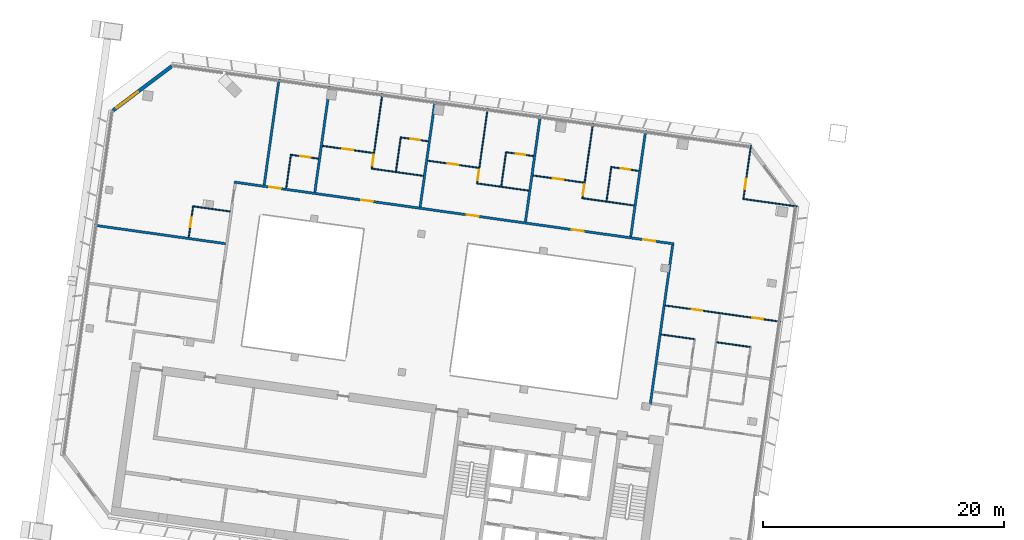
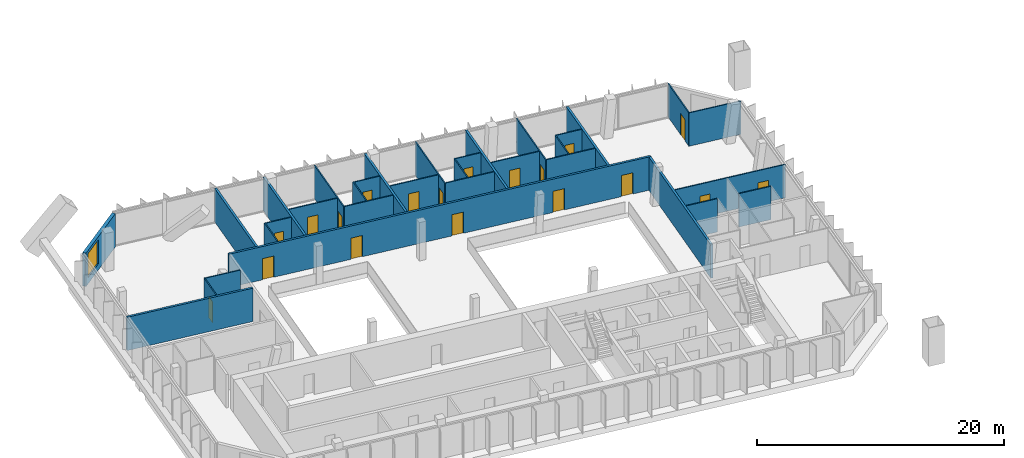
# One storey, part 18 of 29: 33 walls, 19 doors, 1 window, 20 openings.
"""IFC4 building model written with IfcOpenShell, lengths in metres."""

from ifc_helpers import new_model, si_unit, direction, frame, frame_2d, origin, place, context, subcontext, project, spatial, rectangle, extrude, material, layer, layer_set, type_object, element, fill, save


model = new_model("IFC4")

# Units and contexts
model_context = context("Model", 3, precision=1e-05, world=origin(), true_north=direction((0.0, 1.0)))
body_context = subcontext(model_context, "Body", "Model", "MODEL_VIEW")
ifc_project = project(units=[si_unit("LENGTHUNIT", "METRE"), si_unit("AREAUNIT", "SQUARE_METRE"), si_unit("VOLUMEUNIT", "CUBIC_METRE"), si_unit("PLANEANGLEUNIT", "RADIAN"), si_unit("MASSUNIT", "GRAM", prefix="KILO")], contexts=[model_context])

# Site, building, storey
site_placement = place(None, origin())
site = spatial("IfcSite", under=ifc_project, at=site_placement, CompositionType="ELEMENT")
building_placement = place(site_placement, origin())
building = spatial("IfcBuilding", under=site, at=building_placement, Name="Mirante Cascada Hotel Towers", CompositionType="ELEMENT")
storey_placement = place(building_placement, frame((0.0, 0.0, 206.8)))
storey = spatial("IfcBuildingStorey", under=building, at=storey_placement, Name="L49", CompositionType="ELEMENT", Elevation=206.8)

# Wall
ifc_material_1 = material(Name="Fire-rated plasterboard on metal studs")
ifc_layer_1 = layer(ifc_material_1, 0.2)
ifc_layer_set_1 = layer_set([ifc_layer_1], Name="Compartment wall 200 EI 120")
wall_type_1 = type_object("IfcWallType", Name="Compartment wall 200 EI 120", PredefinedType="PARTITIONING", material=ifc_layer_set_1)
wall_1_placement = place(storey_placement, frame((-82.8018, 10.3016, 0.0), z_axis=(0.0, 0.0, 1.0), x_axis=(0.990268, -0.1391733, 0.0)))
element("IfcWall", 1, at=wall_1_placement, inside=storey, type_object=wall_type_1, Name="Wall 1-L49-13", PredefinedType="PARTITIONING", context=body_context, shape_type="SweptSolid", body=[
    extrude(rectangle(XDim=11.0, YDim=0.2, at=frame_2d((5.5, 0.0))), origin(), (0.0, 0.0, 1.0), 3.3),
])

# Wall, openings, doors
wall_2_placement = place(storey_placement, frame((-71.1898, 13.8871, 0.0), z_axis=(0.0, 0.0, 1.0), x_axis=(0.990268, -0.1391734, 0.0)))
wall_2 = element("IfcWall", 2, at=wall_2_placement, inside=storey, type_object=wall_type_1, Name="Wall 1-L49-15", PredefinedType="PARTITIONING", context=body_context, shape_type="SweptSolid", body=[
    extrude(rectangle(XDim=36.9, YDim=0.2, at=frame_2d((18.45, 0.0))), origin(), (0.0, 0.0, 1.0), 3.3),
])
opening_1_placement = place(wall_2_placement, frame((34.3264, 0.0, 0.0)))
opening_1 = element("IfcOpeningElement", 3, at=opening_1_placement, cuts=wall_2, Name="Opening D1-L49-07", PredefinedType="OPENING", context=body_context, shape_type="SweptSolid", body=[
    extrude(rectangle(XDim=1.0, YDim=2.1, at=frame_2d((0.5, 1.05))), frame((0.0, 0.1, 0.0), z_axis=(0.0, -1.0, 0.0), x_axis=(1.0, 0.0, 0.0)), (0.0, 0.0, 1.0), 0.2),
])
opening_2_placement = place(wall_2_placement, frame((28.3358, 0.0, 0.0)))
opening_2 = element("IfcOpeningElement", 4, at=opening_2_placement, cuts=wall_2, Name="Opening D1-L49-08", PredefinedType="OPENING", context=body_context, shape_type="SweptSolid", body=[
    extrude(rectangle(XDim=1.0, YDim=2.1, at=frame_2d((0.5, 1.05))), frame((0.0, 0.1, 0.0), z_axis=(0.0, -1.0, 0.0), x_axis=(1.0, 0.0, 0.0)), (0.0, 0.0, 1.0), 0.2),
])
opening_3_placement = place(wall_2_placement, frame((19.5018, 0.0, 0.0)))
opening_3 = element("IfcOpeningElement", 5, at=opening_3_placement, cuts=wall_2, Name="Opening D1-L49-09", PredefinedType="OPENING", context=body_context, shape_type="SweptSolid", body=[
    extrude(rectangle(XDim=1.0, YDim=2.1, at=frame_2d((0.5, 1.05))), frame((0.0, 0.1, 0.0), z_axis=(0.0, -1.0, 0.0), x_axis=(1.0, 0.0, 0.0)), (0.0, 0.0, 1.0), 0.2),
])
opening_4_placement = place(wall_2_placement, frame((10.6679, 0.0, 0.0)))
opening_4 = element("IfcOpeningElement", 6, at=opening_4_placement, cuts=wall_2, Name="Opening D1-L49-10", PredefinedType="OPENING", context=body_context, shape_type="SweptSolid", body=[
    extrude(rectangle(XDim=1.0, YDim=2.1, at=frame_2d((0.5, 1.05))), frame((0.0, 0.1, 0.0), z_axis=(0.0, -1.0, 0.0), x_axis=(1.0, 0.0, 0.0)), (0.0, 0.0, 1.0), 0.2),
])
opening_5_placement = place(wall_2_placement, frame((2.9254, 0.0, 0.0)))
opening_5 = element("IfcOpeningElement", 7, at=opening_5_placement, cuts=wall_2, Name="Opening D1-L49-11", PredefinedType="OPENING", context=body_context, shape_type="SweptSolid", body=[
    extrude(rectangle(XDim=1.0, YDim=2.1, at=frame_2d((0.5, 1.05))), frame((0.0, 0.1, 0.0), z_axis=(0.0, -1.0, 0.0), x_axis=(1.0, 0.0, 0.0)), (0.0, 0.0, 1.0), 0.2),
])
ifc_material_2 = material(Name="Fire-rated timber door leaf", Category="wood")
door_type_1 = type_object("IfcDoorType", Name="Entrance door DG1 1000x2100 EI 60", OperationType="SINGLE_SWING_LEFT", PredefinedType="DOOR", material=ifc_material_2)
door_1_placement = place(opening_1_placement, origin())
door_1 = element("IfcDoor", 8, at=door_1_placement, inside=storey, type_object=door_type_1, Name="Door D1-L49-07", OperationType="SINGLE_SWING_LEFT", OverallHeight=2.1, OverallWidth=1.0, PredefinedType="DOOR", context=body_context, shape_type="SweptSolid", body=[
    extrude(rectangle(XDim=1.0, YDim=2.1, at=frame_2d((0.5, 1.05))), frame((0.0, 0.025, 0.0), z_axis=(0.0, -1.0, 0.0), x_axis=(1.0, 0.0, 0.0)), (0.0, 0.0, 1.0), 0.05),
])
fill(opening_1, door_1)
door_2_placement = place(opening_2_placement, origin())
door_2 = element("IfcDoor", 9, at=door_2_placement, inside=storey, type_object=door_type_1, Name="Door D1-L49-08", OperationType="SINGLE_SWING_LEFT", OverallHeight=2.1, OverallWidth=1.0, PredefinedType="DOOR", context=body_context, shape_type="SweptSolid", body=[
    extrude(rectangle(XDim=1.0, YDim=2.1, at=frame_2d((0.5, 1.05))), frame((0.0, 0.025, 0.0), z_axis=(0.0, -1.0, 0.0), x_axis=(1.0, 0.0, 0.0)), (0.0, 0.0, 1.0), 0.05),
])
fill(opening_2, door_2)
door_3_placement = place(opening_3_placement, origin())
door_3 = element("IfcDoor", 10, at=door_3_placement, inside=storey, type_object=door_type_1, Name="Door D1-L49-09", OperationType="SINGLE_SWING_LEFT", OverallHeight=2.1, OverallWidth=1.0, PredefinedType="DOOR", context=body_context, shape_type="SweptSolid", body=[
    extrude(rectangle(XDim=1.0, YDim=2.1, at=frame_2d((0.5, 1.05))), frame((0.0, 0.025, 0.0), z_axis=(0.0, -1.0, 0.0), x_axis=(1.0, 0.0, 0.0)), (0.0, 0.0, 1.0), 0.05),
])
fill(opening_3, door_3)
door_4_placement = place(opening_4_placement, origin())
door_4 = element("IfcDoor", 11, at=door_4_placement, inside=storey, type_object=door_type_1, Name="Door D1-L49-10", OperationType="SINGLE_SWING_LEFT", OverallHeight=2.1, OverallWidth=1.0, PredefinedType="DOOR", context=body_context, shape_type="SweptSolid", body=[
    extrude(rectangle(XDim=1.0, YDim=2.1, at=frame_2d((0.5, 1.05))), frame((0.0, 0.025, 0.0), z_axis=(0.0, -1.0, 0.0), x_axis=(1.0, 0.0, 0.0)), (0.0, 0.0, 1.0), 0.05),
])
fill(opening_4, door_4)
door_5_placement = place(opening_5_placement, origin())
door_5 = element("IfcDoor", 12, at=door_5_placement, inside=storey, type_object=door_type_1, Name="Door D1-L49-11", OperationType="SINGLE_SWING_LEFT", OverallHeight=2.1, OverallWidth=1.0, PredefinedType="DOOR", context=body_context, shape_type="SweptSolid", body=[
    extrude(rectangle(XDim=1.0, YDim=2.1, at=frame_2d((0.5, 1.05))), frame((0.0, 0.025, 0.0), z_axis=(0.0, -1.0, 0.0), x_axis=(1.0, 0.0, 0.0)), (0.0, 0.0, 1.0), 0.05),
])
fill(opening_5, door_5)

# Walls
wall_3_placement = place(storey_placement, frame((-34.7618, 8.6665, 0.0), z_axis=(0.0, 0.0, 1.0), x_axis=(-0.1391789, -0.9902673, 0.0)))
element("IfcWall", 13, at=wall_3_placement, inside=storey, type_object=wall_type_1, Name="Wall 1-L49-33", PredefinedType="PARTITIONING", context=body_context, shape_type="SweptSolid", body=[
    extrude(rectangle(XDim=13.4, YDim=0.2, at=frame_2d((6.7, 0.0))), origin(), (0.0, 0.0, 1.0), 3.3),
])
for number, where, z_axis, x_axis, name in (
    (14, (-38.2468, 9.3583, 0.0), (0.0, 0.0, 1.0), (0.1391684, 0.9902687, 0.0), "Wall 1-L49-34"),
    (15, (-45.7561, 19.4011, 0.0), (0.0, 0.0, 1.0), (-0.1391684, -0.9902687, 0.0), "Wall 1-L49-37"),
    (16, (-55.7427, 11.8172, 0.0), (0.0, 0.0, 1.0), (0.1391684, 0.9902687, 0.0), "Wall 1-L49-40"),
    (17, (-63.252, 21.86, 0.0), (0.0, 0.0, 1.0), (-0.1391794, -0.9902672, 0.0), "Wall 1-L49-43"),
    (18, (-67.4616, 22.4516, 0.0), (0.0, 0.0, 1.0), (-0.1391684, -0.9902687, 0.0), "Wall 1-L49-45"),
):
    element("IfcWall", number, at=place(storey_placement, frame(where, z_axis=z_axis, x_axis=x_axis)), inside=storey, type_object=wall_type_1, Name=name, PredefinedType="PARTITIONING", context=body_context, shape_type="SweptSolid", body=[
        extrude(rectangle(XDim=8.9, YDim=0.2, at=frame_2d((4.45, 0.0))), origin(), (0.0, 0.0, 1.0), 3.3),
    ])
ifc_material_3 = material(Name="Plasterboard on metal studs")
ifc_layer_2 = layer(ifc_material_3, 0.1)
ifc_layer_set_2 = layer_set([ifc_layer_2], Name="Partition 100")
wall_type_2 = type_object("IfcWallType", Name="Partition 100", PredefinedType="PARTITIONING", material=ifc_layer_set_2)
wall_4_placement = place(storey_placement, frame((-28.3358, 0.1897, 0.0), z_axis=(0.0, 0.0, 1.0), x_axis=(-0.990267, 0.139181, 0.0)))
element("IfcWall", 19, at=wall_4_placement, inside=storey, type_object=wall_type_2, Name="Wall 1-L49-10", PredefinedType="PARTITIONING", context=body_context, shape_type="SweptSolid", body=[
    extrude(rectangle(XDim=2.8, YDim=0.1, at=frame_2d((1.4, 0.0))), origin(), (0.0, 0.0, 1.0), 3.3),
])
wall_5_placement = place(storey_placement, frame((-35.7066, 1.2256, 0.0), z_axis=(0.0, 0.0, 1.0), x_axis=(0.9902691, -0.1391657, 0.0)))
element("IfcWall", 20, at=wall_5_placement, inside=storey, type_object=wall_type_2, Name="Wall 1-L49-11", PredefinedType="PARTITIONING", context=body_context, shape_type="SweptSolid", body=[
    extrude(rectangle(XDim=2.75, YDim=0.1, at=frame_2d((1.375, 0.0))), origin(), (0.0, 0.0, 1.0), 3.3),
])

# Wall, openings, doors
wall_6_placement = place(storey_placement, frame((-25.7755, 2.2871, 0.0), z_axis=(0.0, 0.0, 1.0), x_axis=(-0.9902686, 0.1391693, 0.0)))
wall_6 = element("IfcWall", 21, at=wall_6_placement, inside=storey, type_object=wall_type_2, Name="Wall 1-L49-12", PredefinedType="PARTITIONING", context=body_context, shape_type="SweptSolid", body=[
    extrude(rectangle(XDim=9.6868, YDim=0.1, at=frame_2d((4.8434, 0.0))), origin(), (0.0, 0.0, 1.0), 3.3),
])
opening_6_placement = place(wall_6_placement, frame((1.4967, 0.0, 0.0)))
opening_6 = element("IfcOpeningElement", 22, at=opening_6_placement, cuts=wall_6, Name="Opening D1-L49-05", PredefinedType="OPENING", context=body_context, shape_type="SweptSolid", body=[
    extrude(rectangle(XDim=0.9, YDim=2.1, at=frame_2d((0.45, 1.05))), frame((0.0, 0.05, 0.0), z_axis=(0.0, -1.0, 0.0), x_axis=(1.0, 0.0, 0.0)), (0.0, 0.0, 1.0), 0.1),
])
opening_7_placement = place(wall_6_placement, frame((6.59, 0.0, 0.0)))
opening_7 = element("IfcOpeningElement", 23, at=opening_7_placement, cuts=wall_6, Name="Opening D1-L49-06", PredefinedType="OPENING", context=body_context, shape_type="SweptSolid", body=[
    extrude(rectangle(XDim=0.9, YDim=2.1, at=frame_2d((0.45, 1.05))), frame((0.0, 0.05, 0.0), z_axis=(0.0, -1.0, 0.0), x_axis=(1.0, 0.0, 0.0)), (0.0, 0.0, 1.0), 0.1),
])
ifc_material_4 = material(Name="Timber door leaf", Category="wood")
door_type_2 = type_object("IfcDoorType", Name="Room door DG3 900x2100", OperationType="SINGLE_SWING_LEFT", PredefinedType="DOOR", material=ifc_material_4)
door_6_placement = place(opening_6_placement, frame((0.9, 0.0, 0.0), z_axis=(0.0, 0.0, 1.0), x_axis=(-1.0, 0.0, 0.0)))
door_6 = element("IfcDoor", 24, at=door_6_placement, inside=storey, type_object=door_type_2, Name="Door D1-L49-05", OperationType="SINGLE_SWING_RIGHT", OverallHeight=2.1, OverallWidth=0.9, PredefinedType="DOOR", context=body_context, shape_type="SweptSolid", body=[
    extrude(rectangle(XDim=0.9, YDim=2.1, at=frame_2d((0.45, 1.05))), frame((0.0, 0.025, 0.0), z_axis=(0.0, -1.0, 0.0), x_axis=(1.0, 0.0, 0.0)), (0.0, 0.0, 1.0), 0.05),
])
fill(opening_6, door_6)
door_7_placement = place(opening_7_placement, frame((0.9, 0.0, 0.0), z_axis=(0.0, 0.0, 1.0), x_axis=(-1.0, 0.0, 0.0)))
door_7 = element("IfcDoor", 25, at=door_7_placement, inside=storey, type_object=door_type_2, Name="Door D1-L49-06", OperationType="SINGLE_SWING_RIGHT", OverallHeight=2.1, OverallWidth=0.9, PredefinedType="DOOR", context=body_context, shape_type="SweptSolid", body=[
    extrude(rectangle(XDim=0.9, YDim=2.1, at=frame_2d((0.45, 1.05))), frame((0.0, 0.025, 0.0), z_axis=(0.0, -1.0, 0.0), x_axis=(1.0, 0.0, 0.0)), (0.0, 0.0, 1.0), 0.05),
])
fill(opening_7, door_7)

# Walls
wall_7_placement = place(storey_placement, frame((-71.5331, 11.4444, 0.0), z_axis=(0.0, 0.0, 1.0), x_axis=(-0.9902676, 0.1391765, 0.0)))
element("IfcWall", 26, at=wall_7_placement, inside=storey, type_object=wall_type_2, Name="Wall 1-L49-14", PredefinedType="PARTITIONING", context=body_context, shape_type="SweptSolid", body=[
    extrude(rectangle(XDim=3.15, YDim=0.1, at=frame_2d((1.575, 0.0))), origin(), (0.0, 0.0, 1.0), 3.3),
])
wall_8_placement = place(storey_placement, frame((-37.984, 11.9469, 0.0), z_axis=(0.0, 0.0, 1.0), x_axis=(-0.9902689, 0.1391669, 0.0)))
element("IfcWall", 27, at=wall_8_placement, inside=storey, type_object=wall_type_2, Name="Wall 1-L49-16", PredefinedType="PARTITIONING", context=body_context, shape_type="SweptSolid", body=[
    extrude(rectangle(XDim=4.2668, YDim=0.1, at=frame_2d((2.1334, 0.0))), origin(), (0.0, 0.0, 1.0), 3.3),
])
wall_9_placement = place(storey_placement, frame((-50.9574, 13.7702, 0.0), z_axis=(0.0, 0.0, 1.0), x_axis=(0.9902666, -0.1391834, 0.0)))
element("IfcWall", 28, at=wall_9_placement, inside=storey, type_object=wall_type_2, Name="Wall 1-L49-17", PredefinedType="PARTITIONING", context=body_context, shape_type="SweptSolid", body=[
    extrude(rectangle(XDim=4.267, YDim=0.1, at=frame_2d((2.1335, 0.0))), origin(), (0.0, 0.0, 1.0), 3.3),
])
wall_10_placement = place(storey_placement, frame((-55.4799, 14.4058, 0.0), z_axis=(0.0, 0.0, 1.0), x_axis=(-0.9902694, 0.1391636, 0.0)))
element("IfcWall", 29, at=wall_10_placement, inside=storey, type_object=wall_type_2, Name="Wall 1-L49-18", PredefinedType="PARTITIONING", context=body_context, shape_type="SweptSolid", body=[
    extrude(rectangle(XDim=4.2669, YDim=0.1, at=frame_2d((2.1334, 0.0))), origin(), (0.0, 0.0, 1.0), 3.3),
])

# Wall, opening, door
wall_11_placement = place(storey_placement, frame((-66.4281, 16.1464, 0.0), z_axis=(0.0, 0.0, 1.0), x_axis=(0.9902705, -0.1391561, 0.0)))
wall_11 = element("IfcWall", 30, at=wall_11_placement, inside=storey, type_object=wall_type_2, Name="Wall 1-L49-19", PredefinedType="PARTITIONING", context=body_context, shape_type="SweptSolid", body=[
    extrude(rectangle(XDim=2.25, YDim=0.1, at=frame_2d((1.125, 0.0))), origin(), (0.0, 0.0, 1.0), 3.3),
])
opening_8_placement = place(wall_11_placement, frame((0.75, 0.0, 0.0)))
opening_8 = element("IfcOpeningElement", 31, at=opening_8_placement, cuts=wall_11, Name="Opening D1-L49-12", PredefinedType="OPENING", context=body_context, shape_type="SweptSolid", body=[
    extrude(rectangle(XDim=0.8, YDim=2.1, at=frame_2d((0.4, 1.05))), frame((0.0, 0.05, 0.0), z_axis=(0.0, -1.0, 0.0), x_axis=(1.0, 0.0, 0.0)), (0.0, 0.0, 1.0), 0.1),
])
ifc_material_5 = material(Name="Timber door leaf", Category="wood")
door_type_3 = type_object("IfcDoorType", Name="Bathroom door DG4 800x2100", OperationType="SINGLE_SWING_LEFT", PredefinedType="DOOR", material=ifc_material_5)
door_8_placement = place(opening_8_placement, origin())
door_8 = element("IfcDoor", 32, at=door_8_placement, inside=storey, type_object=door_type_3, Name="Door D1-L49-12", OperationType="SINGLE_SWING_LEFT", OverallHeight=2.1, OverallWidth=0.8, PredefinedType="DOOR", context=body_context, shape_type="SweptSolid", body=[
    extrude(rectangle(XDim=0.8, YDim=2.1, at=frame_2d((0.4, 1.05))), frame((0.0, 0.025, 0.0), z_axis=(0.0, -1.0, 0.0), x_axis=(1.0, 0.0, 0.0)), (0.0, 0.0, 1.0), 0.05),
])
fill(opening_8, door_8)

wall_12_placement = place(storey_placement, frame((-42.1274, 13.842, 0.0), z_axis=(0.0, 0.0, 1.0), x_axis=(-0.9902699, 0.1391604, 0.0)))
wall_12 = element("IfcWall", 33, at=wall_12_placement, inside=storey, type_object=wall_type_2, Name="Wall 1-L49-20", PredefinedType="PARTITIONING", context=body_context, shape_type="SweptSolid", body=[
    extrude(rectangle(XDim=4.267, YDim=0.1, at=frame_2d((2.1335, 0.0))), origin(), (0.0, 0.0, 1.0), 3.3),
])
opening_9_placement = place(wall_12_placement, frame((1.7085, 0.0, 0.0)))
opening_9 = element("IfcOpeningElement", 34, at=opening_9_placement, cuts=wall_12, Name="Opening D1-L49-13", PredefinedType="OPENING", context=body_context, shape_type="SweptSolid", body=[
    extrude(rectangle(XDim=0.9, YDim=2.1, at=frame_2d((0.45, 1.05))), frame((0.0, 0.05, 0.0), z_axis=(0.0, -1.0, 0.0), x_axis=(1.0, 0.0, 0.0)), (0.0, 0.0, 1.0), 0.1),
])
door_9_placement = place(opening_9_placement, origin())
door_9 = element("IfcDoor", 35, at=door_9_placement, inside=storey, type_object=door_type_2, Name="Door D1-L49-13", OperationType="SINGLE_SWING_LEFT", OverallHeight=2.1, OverallWidth=0.9, PredefinedType="DOOR", context=body_context, shape_type="SweptSolid", body=[
    extrude(rectangle(XDim=0.9, YDim=2.1, at=frame_2d((0.45, 1.05))), frame((0.0, 0.025, 0.0), z_axis=(0.0, -1.0, 0.0), x_axis=(1.0, 0.0, 0.0)), (0.0, 0.0, 1.0), 0.05),
])
fill(opening_9, door_9)

wall_13_placement = place(storey_placement, frame((-55.1009, 15.6653, 0.0), z_axis=(0.0, 0.0, 1.0), x_axis=(0.9902662, -0.1391866, 0.0)))
wall_13 = element("IfcWall", 36, at=wall_13_placement, inside=storey, type_object=wall_type_2, Name="Wall 1-L49-21", PredefinedType="PARTITIONING", context=body_context, shape_type="SweptSolid", body=[
    extrude(rectangle(XDim=4.2669, YDim=0.1, at=frame_2d((2.1334, 0.0))), origin(), (0.0, 0.0, 1.0), 3.3),
])
opening_10_placement = place(wall_13_placement, frame((1.6585, 0.0, 0.0)))
opening_10 = element("IfcOpeningElement", 37, at=opening_10_placement, cuts=wall_13, Name="Opening D1-L49-14", PredefinedType="OPENING", context=body_context, shape_type="SweptSolid", body=[
    extrude(rectangle(XDim=0.9, YDim=2.1, at=frame_2d((0.45, 1.05))), frame((0.0, 0.05, 0.0), z_axis=(0.0, -1.0, 0.0), x_axis=(1.0, 0.0, 0.0)), (0.0, 0.0, 1.0), 0.1),
])
door_10_placement = place(opening_10_placement, frame((0.9, 0.0, 0.0), z_axis=(0.0, 0.0, 1.0), x_axis=(-1.0, 0.0, 0.0)))
door_10 = element("IfcDoor", 38, at=door_10_placement, inside=storey, type_object=door_type_2, Name="Door D1-L49-14", OperationType="SINGLE_SWING_RIGHT", OverallHeight=2.1, OverallWidth=0.9, PredefinedType="DOOR", context=body_context, shape_type="SweptSolid", body=[
    extrude(rectangle(XDim=0.9, YDim=2.1, at=frame_2d((0.45, 1.05))), frame((0.0, 0.025, 0.0), z_axis=(0.0, -1.0, 0.0), x_axis=(1.0, 0.0, 0.0)), (0.0, 0.0, 1.0), 0.05),
])
fill(opening_10, door_10)

wall_14_placement = place(storey_placement, frame((-59.6234, 16.3009, 0.0), z_axis=(0.0, 0.0, 1.0), x_axis=(-0.9902699, 0.1391604, 0.0)))
wall_14 = element("IfcWall", 39, at=wall_14_placement, inside=storey, type_object=wall_type_2, Name="Wall 1-L49-22", PredefinedType="PARTITIONING", context=body_context, shape_type="SweptSolid", body=[
    extrude(rectangle(XDim=4.267, YDim=0.1, at=frame_2d((2.1335, 0.0))), origin(), (0.0, 0.0, 1.0), 3.3),
])
opening_11_placement = place(wall_14_placement, frame((1.7085, 0.0, 0.0)))
opening_11 = element("IfcOpeningElement", 40, at=opening_11_placement, cuts=wall_14, Name="Opening D1-L49-15", PredefinedType="OPENING", context=body_context, shape_type="SweptSolid", body=[
    extrude(rectangle(XDim=0.9, YDim=2.1, at=frame_2d((0.45, 1.05))), frame((0.0, 0.05, 0.0), z_axis=(0.0, -1.0, 0.0), x_axis=(1.0, 0.0, 0.0)), (0.0, 0.0, 1.0), 0.1),
])
door_11_placement = place(opening_11_placement, origin())
door_11 = element("IfcDoor", 41, at=door_11_placement, inside=storey, type_object=door_type_2, Name="Door D1-L49-15", OperationType="SINGLE_SWING_LEFT", OverallHeight=2.1, OverallWidth=0.9, PredefinedType="DOOR", context=body_context, shape_type="SweptSolid", body=[
    extrude(rectangle(XDim=0.9, YDim=2.1, at=frame_2d((0.45, 1.05))), frame((0.0, 0.025, 0.0), z_axis=(0.0, -1.0, 0.0), x_axis=(1.0, 0.0, 0.0)), (0.0, 0.0, 1.0), 0.05),
])
fill(opening_11, door_11)

# Wall
wall_15_placement = place(storey_placement, frame((-28.9359, 12.493, 0.0), z_axis=(0.0, 0.0, 1.0), x_axis=(0.9902661, -0.1391871, 0.0)))
element("IfcWall", 42, at=wall_15_placement, inside=storey, type_object=wall_type_2, Name="Wall 1-L49-23", PredefinedType="PARTITIONING", context=body_context, shape_type="SweptSolid", body=[
    extrude(rectangle(XDim=4.55, YDim=0.1, at=frame_2d((2.275, 0.0))), origin(), (0.0, 0.0, 1.0), 3.3),
])

# Wall, opening, door
wall_16_placement = place(storey_placement, frame((-37.5804, 14.8187, 0.0), z_axis=(0.0, 0.0, 1.0), x_axis=(-0.9902705, 0.1391561, 0.0)))
wall_16 = element("IfcWall", 43, at=wall_16_placement, inside=storey, type_object=wall_type_2, Name="Wall 1-L49-24", PredefinedType="PARTITIONING", context=body_context, shape_type="SweptSolid", body=[
    extrude(rectangle(XDim=2.25, YDim=0.1, at=frame_2d((1.125, 0.0))), origin(), (0.0, 0.0, 1.0), 3.3),
])
opening_12_placement = place(wall_16_placement, frame((0.7, 0.0, 0.0)))
opening_12 = element("IfcOpeningElement", 44, at=opening_12_placement, cuts=wall_16, Name="Opening D1-L49-16", PredefinedType="OPENING", context=body_context, shape_type="SweptSolid", body=[
    extrude(rectangle(XDim=0.8, YDim=2.1, at=frame_2d((0.4, 1.05))), frame((0.0, 0.05, 0.0), z_axis=(0.0, -1.0, 0.0), x_axis=(1.0, 0.0, 0.0)), (0.0, 0.0, 1.0), 0.1),
])
door_12_placement = place(opening_12_placement, frame((0.8, 0.0, 0.0), z_axis=(0.0, 0.0, 1.0), x_axis=(-1.0, 0.0, 0.0)))
door_12 = element("IfcDoor", 45, at=door_12_placement, inside=storey, type_object=door_type_3, Name="Door D1-L49-16", OperationType="SINGLE_SWING_RIGHT", OverallHeight=2.1, OverallWidth=0.8, PredefinedType="DOOR", context=body_context, shape_type="SweptSolid", body=[
    extrude(rectangle(XDim=0.8, YDim=2.1, at=frame_2d((0.4, 1.05))), frame((0.0, 0.025, 0.0), z_axis=(0.0, -1.0, 0.0), x_axis=(1.0, 0.0, 0.0)), (0.0, 0.0, 1.0), 0.05),
])
fill(opening_12, door_12)

wall_17_placement = place(storey_placement, frame((-48.5564, 16.3612, 0.0), z_axis=(0.0, 0.0, 1.0), x_axis=(0.9902705, -0.1391561, 0.0)))
wall_17 = element("IfcWall", 46, at=wall_17_placement, inside=storey, type_object=wall_type_2, Name="Wall 1-L49-25", PredefinedType="PARTITIONING", context=body_context, shape_type="SweptSolid", body=[
    extrude(rectangle(XDim=2.25, YDim=0.1, at=frame_2d((1.125, 0.0))), origin(), (0.0, 0.0, 1.0), 3.3),
])
opening_13_placement = place(wall_17_placement, frame((0.75, 0.0, 0.0)))
opening_13 = element("IfcOpeningElement", 47, at=opening_13_placement, cuts=wall_17, Name="Opening D1-L49-17", PredefinedType="OPENING", context=body_context, shape_type="SweptSolid", body=[
    extrude(rectangle(XDim=0.8, YDim=2.1, at=frame_2d((0.4, 1.05))), frame((0.0, 0.05, 0.0), z_axis=(0.0, -1.0, 0.0), x_axis=(1.0, 0.0, 0.0)), (0.0, 0.0, 1.0), 0.1),
])
door_13_placement = place(opening_13_placement, origin())
door_13 = element("IfcDoor", 48, at=door_13_placement, inside=storey, type_object=door_type_3, Name="Door D1-L49-17", OperationType="SINGLE_SWING_LEFT", OverallHeight=2.1, OverallWidth=0.8, PredefinedType="DOOR", context=body_context, shape_type="SweptSolid", body=[
    extrude(rectangle(XDim=0.8, YDim=2.1, at=frame_2d((0.4, 1.05))), frame((0.0, 0.025, 0.0), z_axis=(0.0, -1.0, 0.0), x_axis=(1.0, 0.0, 0.0)), (0.0, 0.0, 1.0), 0.05),
])
fill(opening_13, door_13)

wall_18_placement = place(storey_placement, frame((-55.0763, 17.2776, 0.0), z_axis=(0.0, 0.0, 1.0), x_axis=(-0.9902705, 0.1391561, 0.0)))
wall_18 = element("IfcWall", 49, at=wall_18_placement, inside=storey, type_object=wall_type_2, Name="Wall 1-L49-26", PredefinedType="PARTITIONING", context=body_context, shape_type="SweptSolid", body=[
    extrude(rectangle(XDim=2.25, YDim=0.1, at=frame_2d((1.125, 0.0))), origin(), (0.0, 0.0, 1.0), 3.3),
])
opening_14_placement = place(wall_18_placement, frame((0.7, 0.0, 0.0)))
opening_14 = element("IfcOpeningElement", 50, at=opening_14_placement, cuts=wall_18, Name="Opening D1-L49-18", PredefinedType="OPENING", context=body_context, shape_type="SweptSolid", body=[
    extrude(rectangle(XDim=0.8, YDim=2.1, at=frame_2d((0.4, 1.05))), frame((0.0, 0.05, 0.0), z_axis=(0.0, -1.0, 0.0), x_axis=(1.0, 0.0, 0.0)), (0.0, 0.0, 1.0), 0.1),
])
door_14_placement = place(opening_14_placement, frame((0.8, 0.0, 0.0), z_axis=(0.0, 0.0, 1.0), x_axis=(-1.0, 0.0, 0.0)))
door_14 = element("IfcDoor", 51, at=door_14_placement, inside=storey, type_object=door_type_3, Name="Door D1-L49-18", OperationType="SINGLE_SWING_RIGHT", OverallHeight=2.1, OverallWidth=0.8, PredefinedType="DOOR", context=body_context, shape_type="SweptSolid", body=[
    extrude(rectangle(XDim=0.8, YDim=2.1, at=frame_2d((0.4, 1.05))), frame((0.0, 0.025, 0.0), z_axis=(0.0, -1.0, 0.0), x_axis=(1.0, 0.0, 0.0)), (0.0, 0.0, 1.0), 0.05),
])
fill(opening_14, door_14)

wall_19_placement = place(storey_placement, frame((-28.2601, 16.9422, 0.0), z_axis=(0.0, 0.0, 1.0), x_axis=(-0.1391684, -0.9902687, 0.0)))
wall_19 = element("IfcWall", 52, at=wall_19_placement, inside=storey, type_object=wall_type_2, Name="Wall 1-L49-29", PredefinedType="PARTITIONING", context=body_context, shape_type="SweptSolid", body=[
    extrude(rectangle(XDim=4.45, YDim=0.1, at=frame_2d((2.225, 0.0))), origin(), (0.0, 0.0, 1.0), 3.3),
])
opening_15_placement = place(wall_19_placement, frame((2.8, 0.0, 0.0)))
opening_15 = element("IfcOpeningElement", 53, at=opening_15_placement, cuts=wall_19, Name="Opening D1-L49-22", PredefinedType="OPENING", context=body_context, shape_type="SweptSolid", body=[
    extrude(rectangle(XDim=0.9, YDim=2.1, at=frame_2d((0.45, 1.05))), frame((0.0, 0.05, 0.0), z_axis=(0.0, -1.0, 0.0), x_axis=(1.0, 0.0, 0.0)), (0.0, 0.0, 1.0), 0.1),
])
door_15_placement = place(opening_15_placement, frame((0.9, 0.0, 0.0), z_axis=(0.0, 0.0, 1.0), x_axis=(-1.0, 0.0, 0.0)))
door_15 = element("IfcDoor", 54, at=door_15_placement, inside=storey, type_object=door_type_2, Name="Door D1-L49-22", OperationType="SINGLE_SWING_RIGHT", OverallHeight=2.1, OverallWidth=0.9, PredefinedType="DOOR", context=body_context, shape_type="SweptSolid", body=[
    extrude(rectangle(XDim=0.9, YDim=2.1, at=frame_2d((0.45, 1.05))), frame((0.0, 0.025, 0.0), z_axis=(0.0, -1.0, 0.0), x_axis=(1.0, 0.0, 0.0)), (0.0, 0.0, 1.0), 0.05),
])
fill(opening_15, door_15)

# Wall
wall_20_placement = place(storey_placement, frame((-39.851, 15.1883, 0.0), z_axis=(0.0, 0.0, 1.0), x_axis=(-0.1391714, -0.9902683, 0.0)))
element("IfcWall", 55, at=wall_20_placement, inside=storey, type_object=wall_type_2, Name="Wall 1-L49-35", PredefinedType="PARTITIONING", context=body_context, shape_type="SweptSolid", body=[
    extrude(rectangle(XDim=2.9, YDim=0.1, at=frame_2d((1.45, 0.0))), origin(), (0.0, 0.0, 1.0), 3.3),
])

# Wall, opening, door
wall_21_placement = place(storey_placement, frame((-42.2658, 12.4982, 0.0), z_axis=(0.0, 0.0, 1.0), x_axis=(0.1391656, 0.9902691, 0.0)))
wall_21 = element("IfcWall", 56, at=wall_21_placement, inside=storey, type_object=wall_type_2, Name="Wall 1-L49-36", PredefinedType="PARTITIONING", context=body_context, shape_type="SweptSolid", body=[
    extrude(rectangle(XDim=6.35, YDim=0.1, at=frame_2d((3.175, 0.0))), origin(), (0.0, 0.0, 1.0), 3.3),
])
opening_16_placement = place(wall_21_placement, frame((0.3, 0.0, 0.0)))
opening_16 = element("IfcOpeningElement", 57, at=opening_16_placement, cuts=wall_21, Name="Opening D1-L49-26", PredefinedType="OPENING", context=body_context, shape_type="SweptSolid", body=[
    extrude(rectangle(XDim=0.9, YDim=2.1, at=frame_2d((0.45, 1.05))), frame((0.0, 0.05, 0.0), z_axis=(0.0, -1.0, 0.0), x_axis=(1.0, 0.0, 0.0)), (0.0, 0.0, 1.0), 0.1),
])
door_16_placement = place(opening_16_placement, origin())
door_16 = element("IfcDoor", 58, at=door_16_placement, inside=storey, type_object=door_type_2, Name="Door D1-L49-26", OperationType="SINGLE_SWING_LEFT", OverallHeight=2.1, OverallWidth=0.9, PredefinedType="DOOR", context=body_context, shape_type="SweptSolid", body=[
    extrude(rectangle(XDim=0.9, YDim=2.1, at=frame_2d((0.45, 1.05))), frame((0.0, 0.025, 0.0), z_axis=(0.0, -1.0, 0.0), x_axis=(1.0, 0.0, 0.0)), (0.0, 0.0, 1.0), 0.05),
])
fill(opening_16, door_16)

# Wall
wall_22_placement = place(storey_placement, frame((-49.0026, 13.5459, 0.0), z_axis=(0.0, 0.0, 1.0), x_axis=(0.1391714, 0.9902683, 0.0)))
element("IfcWall", 59, at=wall_22_placement, inside=storey, type_object=wall_type_2, Name="Wall 1-L49-38", PredefinedType="PARTITIONING", context=body_context, shape_type="SweptSolid", body=[
    extrude(rectangle(XDim=2.9, YDim=0.1, at=frame_2d((1.45, 0.0))), origin(), (0.0, 0.0, 1.0), 3.3),
])

# Wall, opening, door
wall_23_placement = place(storey_placement, frame((-50.1301, 20.0158, 0.0), z_axis=(0.0, 0.0, 1.0), x_axis=(-0.1391656, -0.9902691, 0.0)))
wall_23 = element("IfcWall", 60, at=wall_23_placement, inside=storey, type_object=wall_type_2, Name="Wall 1-L49-39", PredefinedType="PARTITIONING", context=body_context, shape_type="SweptSolid", body=[
    extrude(rectangle(XDim=6.35, YDim=0.1, at=frame_2d((3.175, 0.0))), origin(), (0.0, 0.0, 1.0), 3.3),
])
opening_17_placement = place(wall_23_placement, frame((5.15, 0.0, 0.0)))
opening_17 = element("IfcOpeningElement", 61, at=opening_17_placement, cuts=wall_23, Name="Opening D1-L49-27", PredefinedType="OPENING", context=body_context, shape_type="SweptSolid", body=[
    extrude(rectangle(XDim=0.9, YDim=2.1, at=frame_2d((0.45, 1.05))), frame((0.0, 0.05, 0.0), z_axis=(0.0, -1.0, 0.0), x_axis=(1.0, 0.0, 0.0)), (0.0, 0.0, 1.0), 0.1),
])
door_17_placement = place(opening_17_placement, origin())
door_17 = element("IfcDoor", 62, at=door_17_placement, inside=storey, type_object=door_type_2, Name="Door D1-L49-27", OperationType="SINGLE_SWING_LEFT", OverallHeight=2.1, OverallWidth=0.9, PredefinedType="DOOR", context=body_context, shape_type="SweptSolid", body=[
    extrude(rectangle(XDim=0.9, YDim=2.1, at=frame_2d((0.45, 1.05))), frame((0.0, 0.025, 0.0), z_axis=(0.0, -1.0, 0.0), x_axis=(1.0, 0.0, 0.0)), (0.0, 0.0, 1.0), 0.05),
])
fill(opening_17, door_17)

# Wall
wall_24_placement = place(storey_placement, frame((-57.347, 17.6472, 0.0), z_axis=(0.0, 0.0, 1.0), x_axis=(-0.1391714, -0.9902683, 0.0)))
element("IfcWall", 63, at=wall_24_placement, inside=storey, type_object=wall_type_2, Name="Wall 1-L49-41", PredefinedType="PARTITIONING", context=body_context, shape_type="SweptSolid", body=[
    extrude(rectangle(XDim=2.9, YDim=0.1, at=frame_2d((1.45, 0.0))), origin(), (0.0, 0.0, 1.0), 3.3),
])

# Wall, opening, door
wall_25_placement = place(storey_placement, frame((-59.7618, 14.9571, 0.0), z_axis=(0.0, 0.0, 1.0), x_axis=(0.139181, 0.990267, 0.0)))
wall_25 = element("IfcWall", 64, at=wall_25_placement, inside=storey, type_object=wall_type_2, Name="Wall 1-L49-42", PredefinedType="PARTITIONING", context=body_context, shape_type="SweptSolid", body=[
    extrude(rectangle(XDim=6.35, YDim=0.1, at=frame_2d((3.175, 0.0))), origin(), (0.0, 0.0, 1.0), 3.3),
])
opening_18_placement = place(wall_25_placement, frame((0.3, 0.0, 0.0)))
opening_18 = element("IfcOpeningElement", 65, at=opening_18_placement, cuts=wall_25, Name="Opening D1-L49-28", PredefinedType="OPENING", context=body_context, shape_type="SweptSolid", body=[
    extrude(rectangle(XDim=0.9, YDim=2.1, at=frame_2d((0.45, 1.05))), frame((0.0, 0.05, 0.0), z_axis=(0.0, -1.0, 0.0), x_axis=(1.0, 0.0, 0.0)), (0.0, 0.0, 1.0), 0.1),
])
door_18_placement = place(opening_18_placement, origin())
door_18 = element("IfcDoor", 66, at=door_18_placement, inside=storey, type_object=door_type_2, Name="Door D1-L49-28", OperationType="SINGLE_SWING_LEFT", OverallHeight=2.1, OverallWidth=0.9, PredefinedType="DOOR", context=body_context, shape_type="SweptSolid", body=[
    extrude(rectangle(XDim=0.9, YDim=2.1, at=frame_2d((0.45, 1.05))), frame((0.0, 0.025, 0.0), z_axis=(0.0, -1.0, 0.0), x_axis=(1.0, 0.0, 0.0)), (0.0, 0.0, 1.0), 0.05),
])
fill(opening_18, door_18)

# Wall
wall_26_placement = place(storey_placement, frame((-66.8673, 13.3806, 0.0), z_axis=(0.0, 0.0, 1.0), x_axis=(0.1391564, 0.9902704, 0.0)))
element("IfcWall", 67, at=wall_26_placement, inside=storey, type_object=wall_type_2, Name="Wall 1-L49-44", PredefinedType="PARTITIONING", context=body_context, shape_type="SweptSolid", body=[
    extrude(rectangle(XDim=2.85, YDim=0.1, at=frame_2d((1.425, 0.0))), origin(), (0.0, 0.0, 1.0), 3.3),
])

# Wall, opening, door
wall_27_placement = place(storey_placement, frame((-74.6099, 11.8264, 0.0), z_axis=(0.0, 0.0, 1.0), x_axis=(-0.1391755, -0.9902677, 0.0)))
wall_27 = element("IfcWall", 68, at=wall_27_placement, inside=storey, type_object=wall_type_2, Name="Wall 1-L49-47", PredefinedType="PARTITIONING", context=body_context, shape_type="SweptSolid", body=[
    extrude(rectangle(XDim=2.55, YDim=0.1, at=frame_2d((1.275, 0.0))), origin(), (0.0, 0.0, 1.0), 3.3),
])
opening_19_placement = place(wall_27_placement, frame((0.9, 0.0, 0.0)))
opening_19 = element("IfcOpeningElement", 69, at=opening_19_placement, cuts=wall_27, Name="Opening D1-L49-31", PredefinedType="OPENING", context=body_context, shape_type="SweptSolid", body=[
    extrude(rectangle(XDim=0.8, YDim=2.1, at=frame_2d((0.4, 1.05))), frame((0.0, 0.05, 0.0), z_axis=(0.0, -1.0, 0.0), x_axis=(1.0, 0.0, 0.0)), (0.0, 0.0, 1.0), 0.1),
])
door_19_placement = place(opening_19_placement, frame((0.8, 0.0, 0.0), z_axis=(0.0, 0.0, 1.0), x_axis=(-1.0, 0.0, 0.0)))
door_19 = element("IfcDoor", 70, at=door_19_placement, inside=storey, type_object=door_type_3, Name="Door D1-L49-31", OperationType="SINGLE_SWING_RIGHT", OverallHeight=2.1, OverallWidth=0.8, PredefinedType="DOOR", context=body_context, shape_type="SweptSolid", body=[
    extrude(rectangle(XDim=0.8, YDim=2.1, at=frame_2d((0.4, 1.05))), frame((0.0, 0.025, 0.0), z_axis=(0.0, -1.0, 0.0), x_axis=(1.0, 0.0, 0.0)), (0.0, 0.0, 1.0), 0.05),
])
fill(opening_19, door_19)

# Wall, opening, window
ifc_material_6 = material(Name="Precast concrete C40/50", Category="concrete")
ifc_layer_3 = layer(ifc_material_6, 0.3)
ifc_layer_set_3 = layer_set([ifc_layer_3], Name="Precast concrete C40/50 cladding wall 300")
wall_type_3 = type_object("IfcWallType", Name="Precast concrete C40/50 cladding wall 300", PredefinedType="STANDARD", material=ifc_layer_set_3)
wall_28_placement = place(storey_placement, frame((-81.2671, 19.8291, 0.0), z_axis=(0.0, 0.0, 1.0), x_axis=(0.7986343, 0.6018167, 0.0)))
wall_28 = element("IfcWall", 71, at=wall_28_placement, inside=storey, type_object=wall_type_3, Name="Corner cladding wall T1 L49 outer front", PredefinedType="STANDARD", context=body_context, shape_type="SweptSolid", body=[
    extrude(rectangle(XDim=6.1158, YDim=0.3, at=frame_2d((3.0579, 0.0))), origin(), (0.0, 0.0, 1.0), 3.3),
])
opening_20_placement = place(wall_28_placement, frame((0.3914, 0.0, 0.6)))
opening_20 = element("IfcOpeningElement", 72, at=opening_20_placement, cuts=wall_28, Name="Opening W1-49-03", PredefinedType="OPENING", context=body_context, shape_type="SweptSolid", body=[
    extrude(rectangle(XDim=2.2, YDim=2.4, at=frame_2d((1.1, 1.2))), frame((0.0, 0.15, 0.0), z_axis=(0.0, -1.0, 0.0), x_axis=(1.0, 0.0, 0.0)), (0.0, 0.0, 1.0), 0.3),
])
ifc_material_7 = material(Name="Aluminium frame with clear double glazing", Category="aluminium")
window_type = type_object("IfcWindowType", Name="Corner suite window 2200x2400", PartitioningType="DOUBLE_PANEL_VERTICAL", PredefinedType="WINDOW", material=ifc_material_7)
window_placement = place(opening_20_placement, origin())
window = element("IfcWindow", 73, at=window_placement, inside=storey, type_object=window_type, Name="Window W1-49-03", OverallHeight=2.4, OverallWidth=2.2, PartitioningType="SINGLE_PANEL", PredefinedType="WINDOW", context=body_context, shape_type="SweptSolid", body=[
    extrude(rectangle(XDim=2.2, YDim=2.4, at=frame_2d((1.1, 1.2))), frame((0.0, 0.03, 0.0), z_axis=(0.0, -1.0, 0.0), x_axis=(1.0, 0.0, 0.0)), (0.0, 0.0, 1.0), 0.06),
])
fill(opening_20, window)

save(model, "model.ifc")
